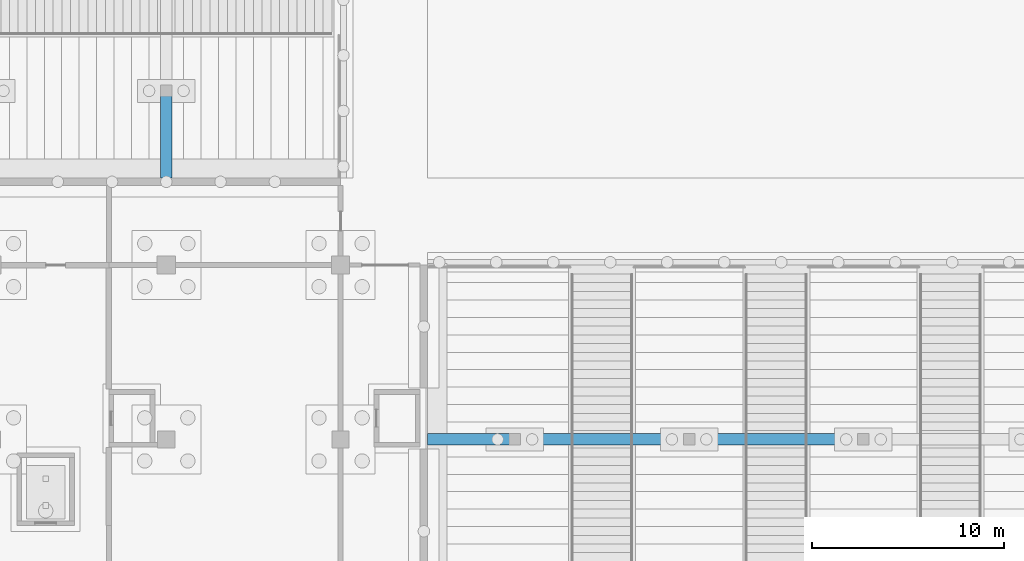
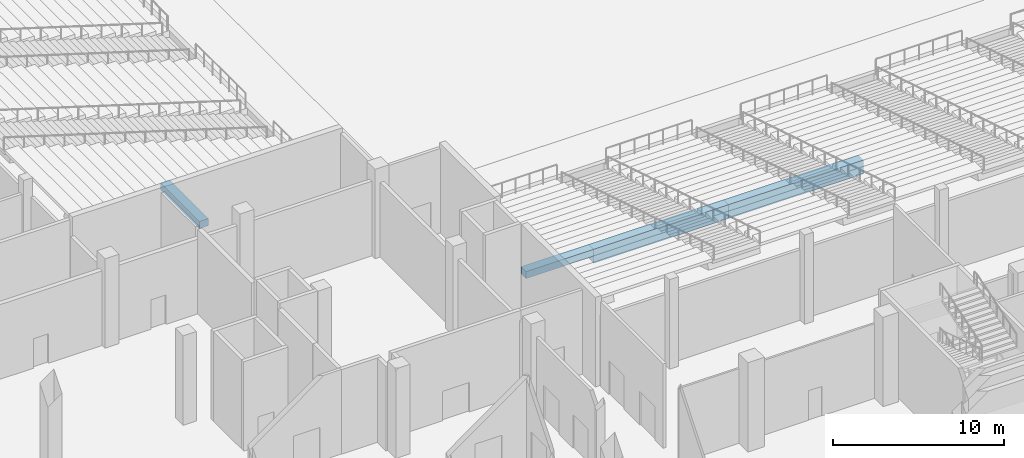
# One storey, part 48 of 129: 4 beams.
"""IFC4 building model written with IfcOpenShell, lengths in metres."""

from ifc_helpers import new_model, si_unit, direction, frame, origin, origin_2d, place, context, subcontext, project, spatial, rectangle, extrude, material, material_profile, profile_set, type_object, element, save


model = new_model("IFC4")

# Units and contexts
model_context = context("Model", 3, precision=1e-05, world=origin(), true_north=direction((0.0, 1.0)))
body_context = subcontext(model_context, "Body", "Model", "MODEL_VIEW")
ifc_project = project(units=[si_unit("LENGTHUNIT", "METRE"), si_unit("AREAUNIT", "SQUARE_METRE"), si_unit("VOLUMEUNIT", "CUBIC_METRE"), si_unit("PLANEANGLEUNIT", "RADIAN"), si_unit("MASSUNIT", "GRAM", prefix="KILO")], contexts=[model_context])

# Site, building, storey
site_placement = place(None, origin())
site = spatial("IfcSite", under=ifc_project, at=site_placement, CompositionType="ELEMENT")
building_placement = place(site_placement, origin())
building = spatial("IfcBuilding", under=site, at=building_placement, Name="Shirokan Park Arena", CompositionType="ELEMENT")
storey_placement = place(building_placement, origin())
storey = spatial("IfcBuildingStorey", under=building, at=storey_placement, Name="L00", CompositionType="ELEMENT", Elevation=0.0)

# Beams
ifc_material = material(Name="Concrete C35", Category="concrete")
ifc_material_profile_1 = material_profile(ifc_material, rectangle(XDim=0.60009765625, YDim=1.0, at=origin_2d()), Name="600x1000")
ifc_profile_set_1 = profile_set([ifc_material_profile_1], Name="Concrete C35")
beam_type_1 = type_object("IfcBeamType", Name="RC stand girder 600x1000", PredefinedType="BEAM", material=ifc_profile_set_1)
beam_1_placement = place(storey_placement, frame((45.5, 27.300048828125, 2.23291015625), z_axis=(1.0, 0.0, 0.0), x_axis=(0.0, 1.0, 0.0)))
element("IfcBeam", 1, at=beam_1_placement, inside=storey, type_object=beam_type_1, Name="Stand girder S R2 2", PredefinedType="BEAM", context=body_context, shape_type="SweptSolid", body=[
    extrude(rectangle(XDim=0.60009765625, YDim=1.0, at=origin_2d()), origin(), (0.0, 0.0, 1.0), 9.10009765625),
])
beam_2_placement = place(storey_placement, frame((54.60009765625, 27.300048828125, 2.23291015625), z_axis=(1.0, 0.0, 0.0), x_axis=(0.0, 1.0, 0.0)))
element("IfcBeam", 2, at=beam_2_placement, inside=storey, type_object=beam_type_1, Name="Stand girder S R2 3", PredefinedType="BEAM", context=body_context, shape_type="SweptSolid", body=[
    extrude(rectangle(XDim=0.60009765625, YDim=1.0, at=origin_2d()), origin(), (0.0, 0.0, 1.0), 9.099853515625),
])
ifc_material_profile_2 = material_profile(ifc_material, rectangle(XDim=0.60009765625, YDim=0.5, at=origin_2d()), Name="600x500")
ifc_profile_set_2 = profile_set([ifc_material_profile_2], Name="Concrete C35")
beam_type_2 = type_object("IfcBeamType", Name="RC stand girder end bay 600x500", PredefinedType="BEAM", material=ifc_profile_set_2)
for number, where, z_axis, x_axis, name in (
    (3, (40.949951171875, 27.300048828125, 2.48291015625), (1.0, 0.0, 0.0), (0.0, 1.0, 0.0), "Stand girder S R2 1"),
    (4, (27.300048828125, 40.949951171875, 2.48291015625), (0.0, 1.0, 0.0), (-1.0, 0.0, 0.0), "Stand girder W R2 1"),
):
    element("IfcBeam", number, at=place(storey_placement, frame(where, z_axis=z_axis, x_axis=x_axis)), inside=storey, type_object=beam_type_2, Name=name, PredefinedType="BEAM", context=body_context, shape_type="SweptSolid", body=[
        extrude(rectangle(XDim=0.60009765625, YDim=0.5, at=origin_2d()), origin(), (0.0, 0.0, 1.0), 4.550048828125),
    ])

save(model, "model.ifc")
